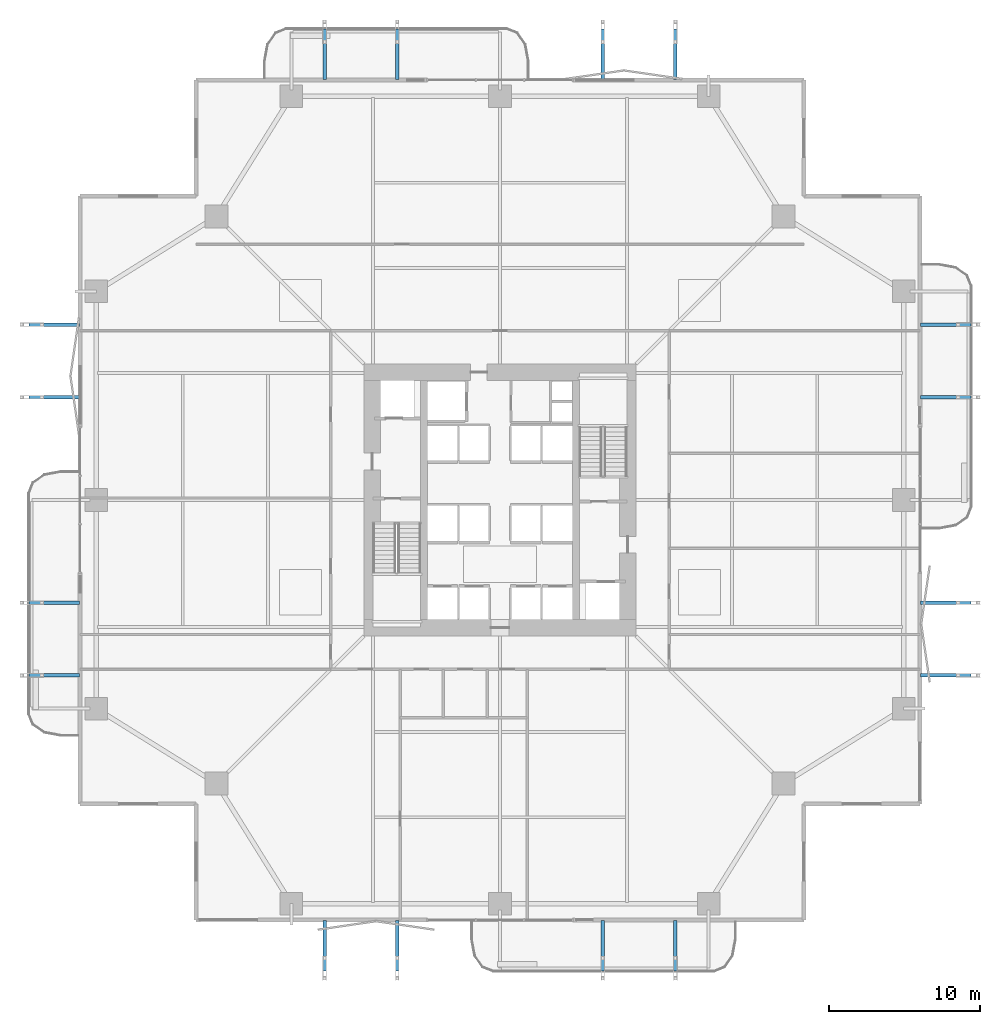
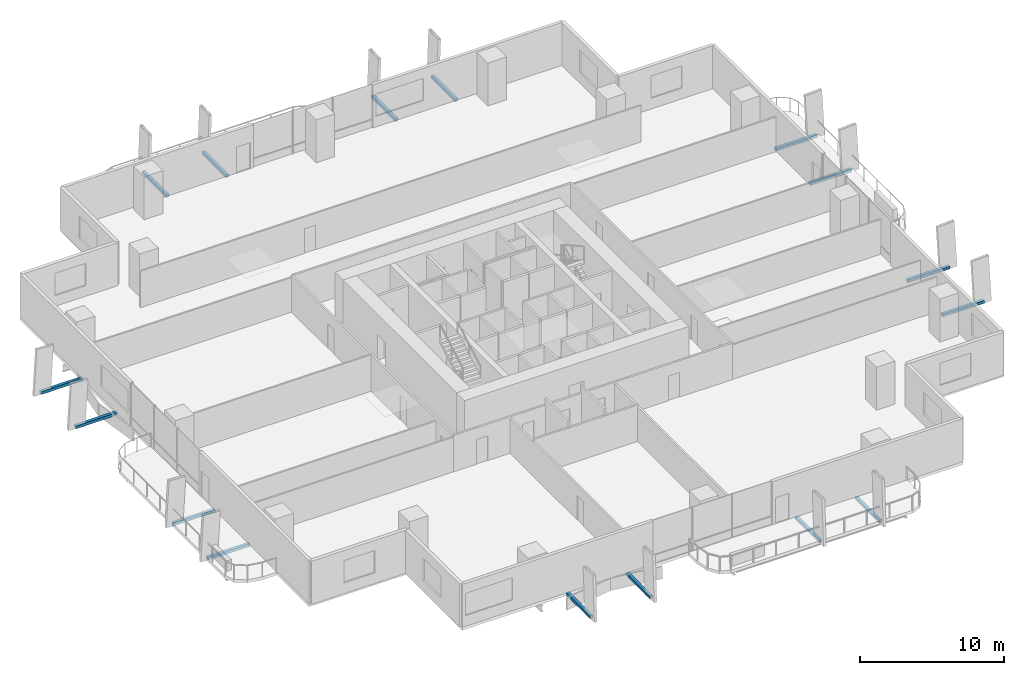
# One storey, part 20 of 24: 16 discrete accessories.
"""IFC4 building model written with IfcOpenShell, lengths in metres."""

from ifc_helpers import new_model, si_unit, direction, frame, origin, origin_2d, place, context, subcontext, project, spatial, rectangle, extrude, material, layer, layer_set, type_object, element, save


model = new_model("IFC4")

# Units and contexts
model_context = context("Model", 3, precision=1e-05, world=origin(), true_north=direction((0.0, 1.0)))
body_context = subcontext(model_context, "Body", "Model", "MODEL_VIEW")
ifc_project = project(units=[si_unit("LENGTHUNIT", "METRE"), si_unit("AREAUNIT", "SQUARE_METRE"), si_unit("VOLUMEUNIT", "CUBIC_METRE"), si_unit("PLANEANGLEUNIT", "RADIAN"), si_unit("MASSUNIT", "GRAM", prefix="KILO")], contexts=[model_context])

# Site, building, storey
site_placement = place(None, origin())
site = spatial("IfcSite", under=ifc_project, at=site_placement, CompositionType="ELEMENT")
building_placement = place(site_placement, origin())
building = spatial("IfcBuilding", under=site, at=building_placement, Name="Belovzor Exchange Tower", CompositionType="ELEMENT")
storey_placement = place(building_placement, frame((0.0, 0.0, 37.800048828125)))
storey = spatial("IfcBuildingStorey", under=building, at=storey_placement, Name="L08", CompositionType="ELEMENT", Elevation=37.800048828125)

# Discrete accessories
ifc_material = material(Name="Stainless Steel Grade 316", Category="steel")
ifc_layer = layer(ifc_material, 0.179931640625)
ifc_layer_set = layer_set([ifc_layer], Name="Stainless Steel Grade 316")
discrete_accessory_type = type_object("IfcDiscreteAccessoryType", Name="Stainless Steel Facade Outrigger Fixing Bracket", PredefinedType="BRACKET", material=ifc_layer_set)
for number, where, z_axis, x_axis, name in (
    (1, (17.199951171875, -0.68701171875, -0.2451171875), (0.0, 0.0, 1.0), (0.0, 1.0, 0.0), "BRK-FIN1 Sweeping Fin Outrigger Bracket L08 S1"),
    (2, (17.199951171875, 58.287109375, -0.2451171875), (0.0, 0.0, 1.0), (0.0, 1.0, 0.0), "BRK-FIN1 Sweeping Fin Outrigger Bracket L08 N1"),
    (3, (-0.68701171875, 17.199951171875, -0.2451171875), (0.0, 0.0, 1.0), (1.0, 0.0, 0.0), "BRK-FIN1 Sweeping Fin Outrigger Bracket L08 W1"),
    (4, (58.287109375, 17.199951171875, -0.2451171875), (0.0, 0.0, 1.0), (1.0, 0.0, 0.0), "BRK-FIN1 Sweeping Fin Outrigger Bracket L08 E1"),
    (5, (22.0, -0.68701171875, -0.2451171875), (0.0, 0.0, 1.0), (0.0, 1.0, 0.0), "BRK-FIN1 Sweeping Fin Outrigger Bracket L08 S2"),
    (6, (22.0, 58.287109375, -0.2451171875), (0.0, 0.0, 1.0), (0.0, 1.0, 0.0), "BRK-FIN1 Sweeping Fin Outrigger Bracket L08 N2"),
    (7, (-0.68701171875, 22.0, -0.2451171875), (0.0, 0.0, 1.0), (1.0, 0.0, 0.0), "BRK-FIN1 Sweeping Fin Outrigger Bracket L08 W2"),
    (8, (58.287109375, 22.0, -0.2451171875), (0.0, 0.0, 1.0), (1.0, 0.0, 0.0), "BRK-FIN1 Sweeping Fin Outrigger Bracket L08 E2"),
    (9, (35.60009765625, -0.68701171875, -0.2451171875), (0.0, 0.0, 1.0), (0.0, 1.0, 0.0), "BRK-FIN1 Sweeping Fin Outrigger Bracket L08 S3"),
    (10, (35.60009765625, 58.287109375, -0.2451171875), (0.0, 0.0, 1.0), (0.0, 1.0, 0.0), "BRK-FIN1 Sweeping Fin Outrigger Bracket L08 N3"),
    (11, (-0.68701171875, 35.60009765625, -0.2451171875), (0.0, 0.0, 1.0), (1.0, 0.0, 0.0), "BRK-FIN1 Sweeping Fin Outrigger Bracket L08 W3"),
    (12, (58.287109375, 35.60009765625, -0.2451171875), (0.0, 0.0, 1.0), (1.0, 0.0, 0.0), "BRK-FIN1 Sweeping Fin Outrigger Bracket L08 E3"),
    (13, (40.39990234375, -0.68701171875, -0.2451171875), (0.0, 0.0, 1.0), (0.0, 1.0, 0.0), "BRK-FIN1 Sweeping Fin Outrigger Bracket L08 S4"),
    (14, (40.39990234375, 58.287109375, -0.2451171875), (0.0, 0.0, 1.0), (0.0, 1.0, 0.0), "BRK-FIN1 Sweeping Fin Outrigger Bracket L08 N4"),
    (15, (-0.68701171875, 40.39990234375, -0.2451171875), (0.0, 0.0, 1.0), (1.0, 0.0, 0.0), "BRK-FIN1 Sweeping Fin Outrigger Bracket L08 W4"),
    (16, (58.287109375, 40.39990234375, -0.2451171875), (0.0, 0.0, 1.0), (1.0, 0.0, 0.0), "BRK-FIN1 Sweeping Fin Outrigger Bracket L08 E4"),
):
    element("IfcDiscreteAccessory", number, at=place(storey_placement, frame(where, z_axis=z_axis, x_axis=x_axis)), inside=storey, type_object=discrete_accessory_type, Name=name, PredefinedType="BRACKET", context=body_context, shape_type="SweptSolid", body=[
        extrude(rectangle(XDim=3.3330078125, YDim=0.239990234375, at=origin_2d()), origin(), (0.0, 0.0, 1.0), 0.239990234375),
    ])

save(model, "model.ifc")
